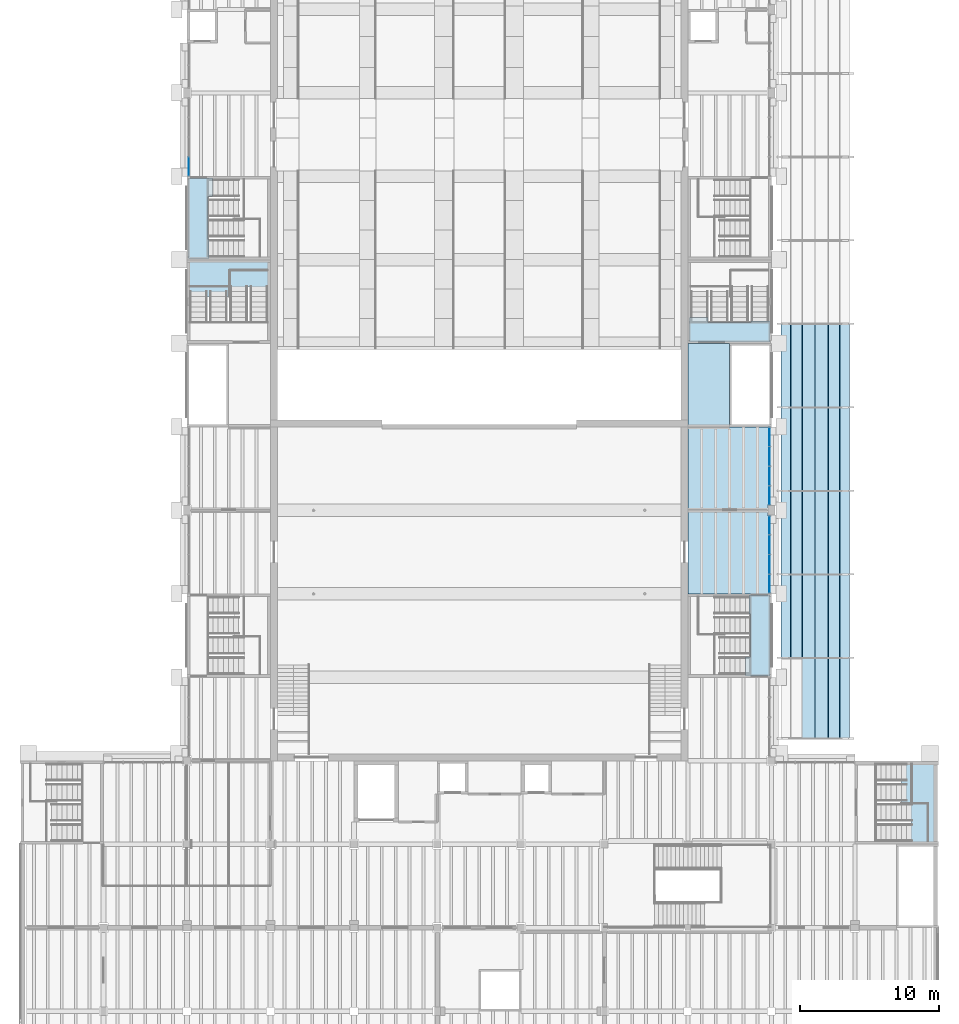
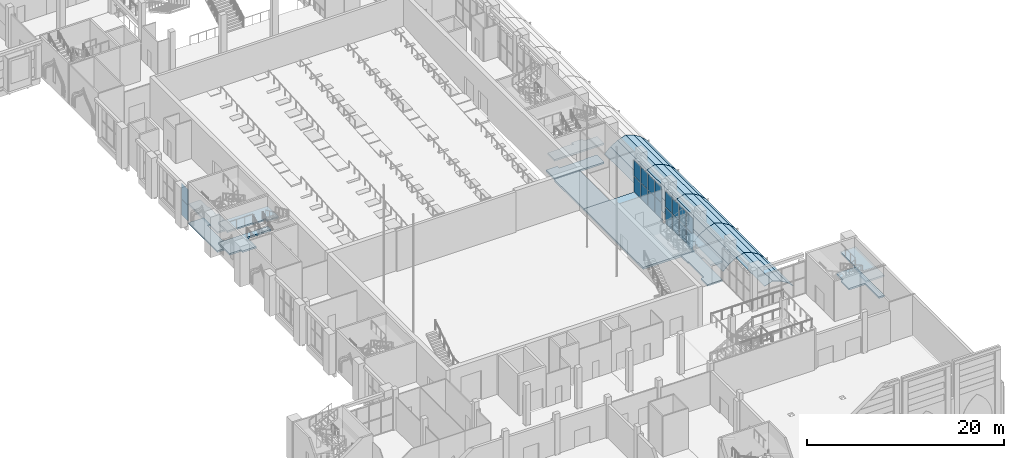
# One storey, part 31 of 80: 46 plates, 12 slabs, 8 elements without a shape of their own.
"""IFC4 building model written with IfcOpenShell, lengths in metres."""

from ifc_helpers import new_model, si_unit, direction, frame, origin, origin_2d, place, context, subcontext, project, spatial, polyline, rectangle, outline, extrude, material, layer, layer_set, type_object, element, aggregate, save


model = new_model("IFC4")

# Units and contexts
model_context = context("Model", 3, precision=1e-05, world=origin(), true_north=direction((0.0, 1.0)))
body_context = subcontext(model_context, "Body", "Model", "MODEL_VIEW")
ifc_project = project(units=[si_unit("LENGTHUNIT", "METRE"), si_unit("AREAUNIT", "SQUARE_METRE"), si_unit("VOLUMEUNIT", "CUBIC_METRE"), si_unit("PLANEANGLEUNIT", "RADIAN"), si_unit("MASSUNIT", "GRAM", prefix="KILO")], contexts=[model_context])

# Site, building, storey
site_placement = place(None, origin())
site = spatial("IfcSite", under=ifc_project, at=site_placement, CompositionType="ELEMENT")
building_placement = place(site_placement, origin())
building = spatial("IfcBuilding", under=site, at=building_placement, Name="Saffron Lane Theatres", CompositionType="ELEMENT")
storey_placement = place(building_placement, frame((0.0, 0.0, 7.0)))
storey = spatial("IfcBuildingStorey", under=building, at=storey_placement, Name="L01", CompositionType="ELEMENT", Elevation=7.0)

# Curtain wall, plates
ifc_material_1 = material(Name="Aluminium", Category="aluminium")
curtain_wall_type = type_object("IfcCurtainWallType", Name="EX-CURTAIN WALL 5650x4050x160", PredefinedType="NOTDEFINED", material=ifc_material_1)
curtain_wall_1_placement = place(storey_placement, origin())
curtain_wall_1 = element("IfcCurtainWall", 1, at=curtain_wall_1_placement, inside=storey, type_object=curtain_wall_type, Name="Curtain wall L01 05", PredefinedType="NOTDEFINED")
ifc_material_2 = material(Name="Glass", Category="glass")
ifc_layer_1 = layer(ifc_material_2, 0.028076171875)
ifc_layer_set_1 = layer_set([ifc_layer_1], Name="Glass")
plate_type_1 = type_object("IfcPlateType", Name="EX-CW PANEL GLAZING 28", PredefinedType="CURTAIN_PANEL", material=ifc_layer_set_1)
plate_1_placement = place(storey_placement, frame((12.1298828125, 72.72119140625, 0.06005859375), z_axis=(0.0, 0.0, 1.0), x_axis=(0.0, 1.0, 0.0)))
plate_1 = element("IfcPlate", 2, at=plate_1_placement, type_object=plate_type_1, Name="CW-01-05 panel 1.1", PredefinedType="CURTAIN_PANEL", context=body_context, shape_type="SweptSolid", body=[
    extrude(rectangle(XDim=1.322509765625, YDim=0.028076171875, at=origin_2d()), origin(), (0.0, 0.0, 1.0), 1.934814453125),
])
plate_2_placement = place(storey_placement, frame((12.1298828125, 72.72119140625, 2.054931640625), z_axis=(0.0, 0.0, 1.0), x_axis=(0.0, 1.0, 0.0)))
plate_2 = element("IfcPlate", 3, at=plate_2_placement, type_object=plate_type_1, Name="CW-01-05 panel 1.2", PredefinedType="CURTAIN_PANEL", context=body_context, shape_type="SweptSolid", body=[
    extrude(rectangle(XDim=1.322509765625, YDim=0.028076171875, at=origin_2d()), origin(), (0.0, 0.0, 1.0), 1.93505859375),
])
aggregate(curtain_wall_1, [plate_1, plate_2])

curtain_wall_2_placement = place(storey_placement, origin())
curtain_wall_2 = element("IfcCurtainWall", 4, at=curtain_wall_2_placement, inside=storey, type_object=curtain_wall_type, Name="Curtain wall L01 13", PredefinedType="NOTDEFINED")
plate_3_placement = place(storey_placement, frame((53.8701171875, 53.27880859375, 0.06005859375), z_axis=(0.0, 0.0, 1.0), x_axis=(0.0, -1.0, 0.0)))
plate_3 = element("IfcPlate", 5, at=plate_3_placement, type_object=plate_type_1, Name="CW-01-13 panel 1.1", PredefinedType="CURTAIN_PANEL", context=body_context, shape_type="SweptSolid", body=[
    extrude(rectangle(XDim=1.322509765625, YDim=0.028076171875, at=origin_2d()), origin(), (0.0, 0.0, 1.0), 1.934814453125),
])
plate_4_placement = place(storey_placement, frame((53.8701171875, 53.27880859375, 2.054931640625), z_axis=(0.0, 0.0, 1.0), x_axis=(0.0, -1.0, 0.0)))
plate_4 = element("IfcPlate", 6, at=plate_4_placement, type_object=plate_type_1, Name="CW-01-13 panel 1.2", PredefinedType="CURTAIN_PANEL", context=body_context, shape_type="SweptSolid", body=[
    extrude(rectangle(XDim=1.322509765625, YDim=0.028076171875, at=origin_2d()), origin(), (0.0, 0.0, 1.0), 1.93505859375),
])
plate_5_placement = place(storey_placement, frame((53.8701171875, 51.88134765625, 0.06005859375), z_axis=(0.0, 0.0, 1.0), x_axis=(0.0, -1.0, 0.0)))
plate_5 = element("IfcPlate", 7, at=plate_5_placement, type_object=plate_type_1, Name="CW-01-13 panel 2.1", PredefinedType="CURTAIN_PANEL", context=body_context, shape_type="SweptSolid", body=[
    extrude(rectangle(XDim=1.3525390625, YDim=0.028076171875, at=origin_2d()), origin(), (0.0, 0.0, 1.0), 1.934814453125),
])
plate_6_placement = place(storey_placement, frame((53.8701171875, 51.88134765625, 2.054931640625), z_axis=(0.0, 0.0, 1.0), x_axis=(0.0, -1.0, 0.0)))
plate_6 = element("IfcPlate", 8, at=plate_6_placement, type_object=plate_type_1, Name="CW-01-13 panel 2.2", PredefinedType="CURTAIN_PANEL", context=body_context, shape_type="SweptSolid", body=[
    extrude(rectangle(XDim=1.3525390625, YDim=0.028076171875, at=origin_2d()), origin(), (0.0, 0.0, 1.0), 1.93505859375),
])
plate_7_placement = place(storey_placement, frame((53.8701171875, 50.46875, 0.06005859375), z_axis=(0.0, 0.0, 1.0), x_axis=(0.0, -1.0, 0.0)))
plate_7 = element("IfcPlate", 9, at=plate_7_placement, type_object=plate_type_1, Name="CW-01-13 panel 3.1", PredefinedType="CURTAIN_PANEL", context=body_context, shape_type="SweptSolid", body=[
    extrude(rectangle(XDim=1.3525390625, YDim=0.028076171875, at=origin_2d()), origin(), (0.0, 0.0, 1.0), 1.934814453125),
])
plate_8_placement = place(storey_placement, frame((53.8701171875, 50.46875, 2.054931640625), z_axis=(0.0, 0.0, 1.0), x_axis=(0.0, -1.0, 0.0)))
plate_8 = element("IfcPlate", 10, at=plate_8_placement, type_object=plate_type_1, Name="CW-01-13 panel 3.2", PredefinedType="CURTAIN_PANEL", context=body_context, shape_type="SweptSolid", body=[
    extrude(rectangle(XDim=1.3525390625, YDim=0.028076171875, at=origin_2d()), origin(), (0.0, 0.0, 1.0), 1.93505859375),
])
plate_9_placement = place(storey_placement, frame((53.8701171875, 49.0712890625, 0.06005859375), z_axis=(0.0, 0.0, 1.0), x_axis=(0.0, -1.0, 0.0)))
plate_9 = element("IfcPlate", 11, at=plate_9_placement, type_object=plate_type_1, Name="CW-01-13 panel 4.1", PredefinedType="CURTAIN_PANEL", context=body_context, shape_type="SweptSolid", body=[
    extrude(rectangle(XDim=1.322509765625, YDim=0.028076171875, at=origin_2d()), origin(), (0.0, 0.0, 1.0), 1.934814453125),
])
plate_10_placement = place(storey_placement, frame((53.8701171875, 49.0712890625, 2.054931640625), z_axis=(0.0, 0.0, 1.0), x_axis=(0.0, -1.0, 0.0)))
plate_10 = element("IfcPlate", 12, at=plate_10_placement, type_object=plate_type_1, Name="CW-01-13 panel 4.2", PredefinedType="CURTAIN_PANEL", context=body_context, shape_type="SweptSolid", body=[
    extrude(rectangle(XDim=1.322509765625, YDim=0.028076171875, at=origin_2d()), origin(), (0.0, 0.0, 1.0), 1.93505859375),
])
aggregate(curtain_wall_2, [plate_3, plate_4, plate_5, plate_6, plate_7, plate_8, plate_9, plate_10])

curtain_wall_3_placement = place(storey_placement, origin())
curtain_wall_3 = element("IfcCurtainWall", 13, at=curtain_wall_3_placement, inside=storey, type_object=curtain_wall_type, Name="Curtain wall L01 14", PredefinedType="NOTDEFINED")
plate_11_placement = place(storey_placement, frame((53.8701171875, 46.9287109375, 0.06005859375), z_axis=(0.0, 0.0, 1.0), x_axis=(0.0, -1.0, 0.0)))
plate_11 = element("IfcPlate", 14, at=plate_11_placement, type_object=plate_type_1, Name="CW-01-14 panel 1.1", PredefinedType="CURTAIN_PANEL", context=body_context, shape_type="SweptSolid", body=[
    extrude(rectangle(XDim=1.322509765625, YDim=0.028076171875, at=origin_2d()), origin(), (0.0, 0.0, 1.0), 1.934814453125),
])
plate_12_placement = place(storey_placement, frame((53.8701171875, 46.9287109375, 2.054931640625), z_axis=(0.0, 0.0, 1.0), x_axis=(0.0, -1.0, 0.0)))
plate_12 = element("IfcPlate", 15, at=plate_12_placement, type_object=plate_type_1, Name="CW-01-14 panel 1.2", PredefinedType="CURTAIN_PANEL", context=body_context, shape_type="SweptSolid", body=[
    extrude(rectangle(XDim=1.322509765625, YDim=0.028076171875, at=origin_2d()), origin(), (0.0, 0.0, 1.0), 1.93505859375),
])
plate_13_placement = place(storey_placement, frame((53.8701171875, 45.53125, 0.06005859375), z_axis=(0.0, 0.0, 1.0), x_axis=(0.0, -1.0, 0.0)))
plate_13 = element("IfcPlate", 16, at=plate_13_placement, type_object=plate_type_1, Name="CW-01-14 panel 2.1", PredefinedType="CURTAIN_PANEL", context=body_context, shape_type="SweptSolid", body=[
    extrude(rectangle(XDim=1.3525390625, YDim=0.028076171875, at=origin_2d()), origin(), (0.0, 0.0, 1.0), 1.934814453125),
])
plate_14_placement = place(storey_placement, frame((53.8701171875, 45.53125, 2.054931640625), z_axis=(0.0, 0.0, 1.0), x_axis=(0.0, -1.0, 0.0)))
plate_14 = element("IfcPlate", 17, at=plate_14_placement, type_object=plate_type_1, Name="CW-01-14 panel 2.2", PredefinedType="CURTAIN_PANEL", context=body_context, shape_type="SweptSolid", body=[
    extrude(rectangle(XDim=1.3525390625, YDim=0.028076171875, at=origin_2d()), origin(), (0.0, 0.0, 1.0), 1.93505859375),
])
plate_15_placement = place(storey_placement, frame((53.8701171875, 44.11865234375, 0.06005859375), z_axis=(0.0, 0.0, 1.0), x_axis=(0.0, -1.0, 0.0)))
plate_15 = element("IfcPlate", 18, at=plate_15_placement, type_object=plate_type_1, Name="CW-01-14 panel 3.1", PredefinedType="CURTAIN_PANEL", context=body_context, shape_type="SweptSolid", body=[
    extrude(rectangle(XDim=1.3525390625, YDim=0.028076171875, at=origin_2d()), origin(), (0.0, 0.0, 1.0), 1.934814453125),
])
plate_16_placement = place(storey_placement, frame((53.8701171875, 44.11865234375, 2.054931640625), z_axis=(0.0, 0.0, 1.0), x_axis=(0.0, -1.0, 0.0)))
plate_16 = element("IfcPlate", 19, at=plate_16_placement, type_object=plate_type_1, Name="CW-01-14 panel 3.2", PredefinedType="CURTAIN_PANEL", context=body_context, shape_type="SweptSolid", body=[
    extrude(rectangle(XDim=1.3525390625, YDim=0.028076171875, at=origin_2d()), origin(), (0.0, 0.0, 1.0), 1.93505859375),
])
plate_17_placement = place(storey_placement, frame((53.8701171875, 42.72119140625, 0.06005859375), z_axis=(0.0, 0.0, 1.0), x_axis=(0.0, -1.0, 0.0)))
plate_17 = element("IfcPlate", 20, at=plate_17_placement, type_object=plate_type_1, Name="CW-01-14 panel 4.1", PredefinedType="CURTAIN_PANEL", context=body_context, shape_type="SweptSolid", body=[
    extrude(rectangle(XDim=1.322509765625, YDim=0.028076171875, at=origin_2d()), origin(), (0.0, 0.0, 1.0), 1.934814453125),
])
plate_18_placement = place(storey_placement, frame((53.8701171875, 42.72119140625, 2.054931640625), z_axis=(0.0, 0.0, 1.0), x_axis=(0.0, -1.0, 0.0)))
plate_18 = element("IfcPlate", 21, at=plate_18_placement, type_object=plate_type_1, Name="CW-01-14 panel 4.2", PredefinedType="CURTAIN_PANEL", context=body_context, shape_type="SweptSolid", body=[
    extrude(rectangle(XDim=1.322509765625, YDim=0.028076171875, at=origin_2d()), origin(), (0.0, 0.0, 1.0), 1.93505859375),
])
aggregate(curtain_wall_3, [plate_11, plate_12, plate_13, plate_14, plate_15, plate_16, plate_17, plate_18])

# Slabs
ifc_material_3 = material(Name="Concrete N40 (40 MPa)", Category="concrete")
ifc_layer_2 = layer(ifc_material_3, 0.25)
ifc_layer_set_2 = layer_set([ifc_layer_2], Name="Concrete N40 (40 MPa)")
slab_type_1 = type_object("IfcSlabType", Name="RC-SLAB FLOOR 250", PredefinedType="FLOOR", material=ifc_layer_set_2)
slab_1_placement = place(storey_placement, frame((0.0, 0.0, -0.25)))
element("IfcSlab", 22, at=slab_1_placement, inside=storey, type_object=slab_type_1, Name="slab-L01-AUD-2", PredefinedType="FLOOR", context=body_context, shape_type="SweptSolid", body=[
    extrude(outline(polyline([(48.0, 54.5), (48.0, 54.0), (51.0, 54.0), (51.0, 60.0), (48.0, 60.0), (48.0, 54.5)])), origin(), (0.0, 0.0, 1.0), 0.25),
])
slab_2_placement = place(storey_placement, frame((0.0, 0.0, -0.25)))
element("IfcSlab", 23, at=slab_2_placement, inside=storey, type_object=slab_type_1, Name="slab-L01-STAGE-4", PredefinedType="FLOOR", context=body_context, shape_type="SweptSolid", body=[
    extrude(outline(polyline([(48.0, 42.0), (54.0, 42.0), (54.0, 47.623046875), (53.722900390625, 47.623046875), (53.722900390625, 48.376953125), (54.0, 48.376953125), (54.0, 54.0), (51.0, 54.0), (48.0, 54.0), (48.0, 42.0)])), origin(), (0.0, 0.0, 1.0), 0.25),
])

# Plates
ifc_material_4 = material(Name="Laminated glass", Category="glass")
ifc_layer_3 = layer(ifc_material_4, 0.030029296875)
ifc_layer_set_3 = layer_set([ifc_layer_3], Name="Laminated glass")
plate_type_2 = type_object("IfcPlateType", Name="ST-CANOPY GLASS", PredefinedType="SHEET", material=ifc_layer_set_3)
plate_19_placement = place(storey_placement, frame((56.2080078125, 31.60009765625, 1.107177734375), z_axis=(-0.325257867178, 0.0, 0.945625359135), x_axis=(0.945625359135, 0.0, 0.325257867178)))
element("IfcPlate", 24, at=plate_19_placement, inside=storey, type_object=plate_type_2, Name="CG1-3", PredefinedType="SHEET", context=body_context, shape_type="SweptSolid", body=[
    extrude(outline(polyline([(0.0, 0.0), (0.9960546448455231, 0.0), (0.9960546448455231, 5.7998046875), (0.0, 5.7998046875), (0.0, 0.0)])), origin(), (0.0, 0.0, -1.0), 0.030029296875),
])
plate_20_placement = place(storey_placement, frame((57.14990234375, 31.60009765625, 1.43115234375), z_axis=(0.325182495339, 0.0, 0.945651280719), x_axis=(0.945651280719, 0.0, -0.325182495339)))
element("IfcPlate", 25, at=plate_20_placement, inside=storey, type_object=plate_type_2, Name="CG1-4", PredefinedType="SHEET", context=body_context, shape_type="SweptSolid", body=[
    extrude(outline(polyline([(0.0, 0.0), (0.9962855135763407, 0.0), (0.9962855135763407, 5.7998046875), (0.0, 5.7998046875), (0.0, 0.0)])), origin(), (0.0, 0.0, -1.0), 0.030029296875),
])
plate_21_placement = place(storey_placement, frame((58.092041015625, 31.60009765625, 1.107177734375), z_axis=(0.517265239441, 0.0, 0.855825141058), x_axis=(0.855825141058, 0.0, -0.517265239441)))
element("IfcPlate", 26, at=plate_21_placement, inside=storey, type_object=plate_type_2, Name="CG1-5", PredefinedType="SHEET", context=body_context, shape_type="SweptSolid", body=[
    extrude(outline(polyline([(0.0, 0.0), (0.9713419111499698, 0.0), (0.9713419111499698, 5.799804687499999), (0.0, 5.799804687499999), (0.0, 0.0)])), origin(), (0.0, 0.0, -1.0), 0.030029296875),
])
plate_22_placement = place(storey_placement, frame((58.92333984375, 31.60009765625, 0.604736328125), z_axis=(0.685681966938, 0.0, 0.727901257188), x_axis=(0.727901257188, 0.0, -0.685681966938)))
element("IfcPlate", 27, at=plate_22_placement, inside=storey, type_object=plate_type_2, Name="CG1-6", PredefinedType="SHEET", context=body_context, shape_type="SweptSolid", body=[
    extrude(outline(polyline([(0.0, 0.0), (0.9599248000335028, 0.0), (0.9599248000335028, 5.7998046875), (0.0, 5.7998046875), (0.0, 0.0)])), origin(), (0.0, 0.0, -1.0), 0.030029296875),
])
plate_23_placement = place(storey_placement, frame((54.677978515625, 37.39990234375, -0.053466796875), z_axis=(-0.685681966938, 0.0, 0.727901257188), x_axis=(0.727901257188, 0.0, 0.685681966938)))
element("IfcPlate", 28, at=plate_23_placement, inside=storey, type_object=plate_type_2, Name="CG2-1", PredefinedType="SHEET", context=body_context, shape_type="SweptSolid", body=[
    extrude(outline(polyline([(0.0, 0.0), (0.9599248000335028, 0.0), (0.9599248000335028, 6.0), (0.0, 6.0), (0.0, 0.0)])), origin(), (0.0, 0.0, -1.0), 0.030029296875),
])
plate_24_placement = place(storey_placement, frame((55.376708984375, 37.39990234375, 0.604736328125), z_axis=(-0.517265239441, 0.0, 0.855825141058), x_axis=(0.855825141058, 0.0, 0.517265239441)))
element("IfcPlate", 29, at=plate_24_placement, inside=storey, type_object=plate_type_2, Name="CG2-2", PredefinedType="SHEET", context=body_context, shape_type="SweptSolid", body=[
    extrude(outline(polyline([(0.0, 0.0), (0.9713419111499699, 0.0), (0.9713419111499699, 6.000000000000002), (0.0, 6.000000000000002), (0.0, 0.0)])), origin(), (0.0, 0.0, -1.0), 0.030029296875),
])
plate_25_placement = place(storey_placement, frame((56.2080078125, 37.39990234375, 1.107177734375), z_axis=(-0.325257867178, 0.0, 0.945625359135), x_axis=(0.945625359135, 0.0, 0.325257867178)))
element("IfcPlate", 30, at=plate_25_placement, inside=storey, type_object=plate_type_2, Name="CG2-3", PredefinedType="SHEET", context=body_context, shape_type="SweptSolid", body=[
    extrude(outline(polyline([(0.0, 0.0), (0.9960546448455231, 0.0), (0.9960546448455231, 6.0), (0.0, 6.0), (0.0, 0.0)])), origin(), (0.0, 0.0, -1.0), 0.030029296875),
])
plate_26_placement = place(storey_placement, frame((57.14990234375, 37.39990234375, 1.43115234375), z_axis=(0.325182495339, 0.0, 0.945651280719), x_axis=(0.945651280719, 0.0, -0.325182495339)))
element("IfcPlate", 31, at=plate_26_placement, inside=storey, type_object=plate_type_2, Name="CG2-4", PredefinedType="SHEET", context=body_context, shape_type="SweptSolid", body=[
    extrude(outline(polyline([(0.0, 0.0), (0.9962855135763407, 0.0), (0.9962855135763407, 6.0), (0.0, 6.0), (0.0, 0.0)])), origin(), (0.0, 0.0, -1.0), 0.030029296875),
])
plate_27_placement = place(storey_placement, frame((58.092041015625, 37.39990234375, 1.107177734375), z_axis=(0.517265239441, 0.0, 0.855825141058), x_axis=(0.855825141058, 0.0, -0.517265239441)))
element("IfcPlate", 32, at=plate_27_placement, inside=storey, type_object=plate_type_2, Name="CG2-5", PredefinedType="SHEET", context=body_context, shape_type="SweptSolid", body=[
    extrude(outline(polyline([(0.0, 0.0), (0.9713419111499699, 0.0), (0.9713419111499699, 6.000000000000002), (0.0, 6.000000000000002), (0.0, 0.0)])), origin(), (0.0, 0.0, -1.0), 0.030029296875),
])
for number, where, z_axis, x_axis, name in (
    (33, (58.92333984375, 37.39990234375, 0.604736328125), (0.685681966938, 0.0, 0.727901257188), (0.727901257188, 0.0, -0.685681966938), "CG2-6"),
    (34, (54.677978515625, 43.39990234375, -0.053466796875), (-0.685681966938, 0.0, 0.727901257188), (0.727901257188, 0.0, 0.685681966938), "CG3-1"),
):
    element("IfcPlate", number, at=place(storey_placement, frame(where, z_axis=z_axis, x_axis=x_axis)), inside=storey, type_object=plate_type_2, Name=name, PredefinedType="SHEET", context=body_context, shape_type="SweptSolid", body=[
        extrude(outline(polyline([(0.0, 0.0), (0.9599248000335028, 0.0), (0.9599248000335028, 6.0), (0.0, 6.0), (0.0, 0.0)])), origin(), (0.0, 0.0, -1.0), 0.030029296875),
    ])
plate_28_placement = place(storey_placement, frame((55.376708984375, 43.39990234375, 0.604736328125), z_axis=(-0.517265239441, 0.0, 0.855825141058), x_axis=(0.855825141058, 0.0, 0.517265239441)))
element("IfcPlate", 35, at=plate_28_placement, inside=storey, type_object=plate_type_2, Name="CG3-2", PredefinedType="SHEET", context=body_context, shape_type="SweptSolid", body=[
    extrude(outline(polyline([(0.0, 0.0), (0.9713419111499699, 0.0), (0.9713419111499699, 6.000000000000002), (0.0, 6.000000000000002), (0.0, 0.0)])), origin(), (0.0, 0.0, -1.0), 0.030029296875),
])
plate_29_placement = place(storey_placement, frame((56.2080078125, 43.39990234375, 1.107177734375), z_axis=(-0.325257867178, 0.0, 0.945625359135), x_axis=(0.945625359135, 0.0, 0.325257867178)))
element("IfcPlate", 36, at=plate_29_placement, inside=storey, type_object=plate_type_2, Name="CG3-3", PredefinedType="SHEET", context=body_context, shape_type="SweptSolid", body=[
    extrude(outline(polyline([(0.0, 0.0), (0.9960546448455231, 0.0), (0.9960546448455231, 6.0), (0.0, 6.0), (0.0, 0.0)])), origin(), (0.0, 0.0, -1.0), 0.030029296875),
])
plate_30_placement = place(storey_placement, frame((57.14990234375, 43.39990234375, 1.43115234375), z_axis=(0.325182495339, 0.0, 0.945651280719), x_axis=(0.945651280719, 0.0, -0.325182495339)))
element("IfcPlate", 37, at=plate_30_placement, inside=storey, type_object=plate_type_2, Name="CG3-4", PredefinedType="SHEET", context=body_context, shape_type="SweptSolid", body=[
    extrude(outline(polyline([(0.0, 0.0), (0.9962855135763407, 0.0), (0.9962855135763407, 6.0), (0.0, 6.0), (0.0, 0.0)])), origin(), (0.0, 0.0, -1.0), 0.030029296875),
])
plate_31_placement = place(storey_placement, frame((58.092041015625, 43.39990234375, 1.107177734375), z_axis=(0.517265239441, 0.0, 0.855825141058), x_axis=(0.855825141058, 0.0, -0.517265239441)))
element("IfcPlate", 38, at=plate_31_placement, inside=storey, type_object=plate_type_2, Name="CG3-5", PredefinedType="SHEET", context=body_context, shape_type="SweptSolid", body=[
    extrude(outline(polyline([(0.0, 0.0), (0.9713419111499699, 0.0), (0.9713419111499699, 6.000000000000002), (0.0, 6.000000000000002), (0.0, 0.0)])), origin(), (0.0, 0.0, -1.0), 0.030029296875),
])
for number, where, z_axis, x_axis, name in (
    (39, (58.92333984375, 43.39990234375, 0.604736328125), (0.685681966938, 0.0, 0.727901257188), (0.727901257188, 0.0, -0.685681966938), "CG3-6"),
    (40, (54.677978515625, 49.39990234375, -0.053466796875), (-0.685681966938, 0.0, 0.727901257188), (0.727901257188, 0.0, 0.685681966938), "CG4-1"),
):
    element("IfcPlate", number, at=place(storey_placement, frame(where, z_axis=z_axis, x_axis=x_axis)), inside=storey, type_object=plate_type_2, Name=name, PredefinedType="SHEET", context=body_context, shape_type="SweptSolid", body=[
        extrude(outline(polyline([(0.0, 0.0), (0.9599248000335028, 0.0), (0.9599248000335028, 6.0), (0.0, 6.0), (0.0, 0.0)])), origin(), (0.0, 0.0, -1.0), 0.030029296875),
    ])
plate_32_placement = place(storey_placement, frame((55.376708984375, 49.39990234375, 0.604736328125), z_axis=(-0.517265239441, 0.0, 0.855825141058), x_axis=(0.855825141058, 0.0, 0.517265239441)))
element("IfcPlate", 41, at=plate_32_placement, inside=storey, type_object=plate_type_2, Name="CG4-2", PredefinedType="SHEET", context=body_context, shape_type="SweptSolid", body=[
    extrude(outline(polyline([(0.0, 0.0), (0.9713419111499699, 0.0), (0.9713419111499699, 6.000000000000002), (0.0, 6.000000000000002), (0.0, 0.0)])), origin(), (0.0, 0.0, -1.0), 0.030029296875),
])
plate_33_placement = place(storey_placement, frame((56.2080078125, 49.39990234375, 1.107177734375), z_axis=(-0.325257867178, 0.0, 0.945625359135), x_axis=(0.945625359135, 0.0, 0.325257867178)))
element("IfcPlate", 42, at=plate_33_placement, inside=storey, type_object=plate_type_2, Name="CG4-3", PredefinedType="SHEET", context=body_context, shape_type="SweptSolid", body=[
    extrude(outline(polyline([(0.0, 0.0), (0.9960546448455231, 0.0), (0.9960546448455231, 6.0), (0.0, 6.0), (0.0, 0.0)])), origin(), (0.0, 0.0, -1.0), 0.030029296875),
])
plate_34_placement = place(storey_placement, frame((57.14990234375, 49.39990234375, 1.43115234375), z_axis=(0.325182495339, 0.0, 0.945651280719), x_axis=(0.945651280719, 0.0, -0.325182495339)))
element("IfcPlate", 43, at=plate_34_placement, inside=storey, type_object=plate_type_2, Name="CG4-4", PredefinedType="SHEET", context=body_context, shape_type="SweptSolid", body=[
    extrude(outline(polyline([(0.0, 0.0), (0.9962855135763407, 0.0), (0.9962855135763407, 6.0), (0.0, 6.0), (0.0, 0.0)])), origin(), (0.0, 0.0, -1.0), 0.030029296875),
])
plate_35_placement = place(storey_placement, frame((58.092041015625, 49.39990234375, 1.107177734375), z_axis=(0.517265239441, 0.0, 0.855825141058), x_axis=(0.855825141058, 0.0, -0.517265239441)))
element("IfcPlate", 44, at=plate_35_placement, inside=storey, type_object=plate_type_2, Name="CG4-5", PredefinedType="SHEET", context=body_context, shape_type="SweptSolid", body=[
    extrude(outline(polyline([(0.0, 0.0), (0.9713419111499699, 0.0), (0.9713419111499699, 6.000000000000002), (0.0, 6.000000000000002), (0.0, 0.0)])), origin(), (0.0, 0.0, -1.0), 0.030029296875),
])
for number, where, z_axis, x_axis, name in (
    (45, (58.92333984375, 49.39990234375, 0.604736328125), (0.685681966938, 0.0, 0.727901257188), (0.727901257188, 0.0, -0.685681966938), "CG4-6"),
    (46, (54.677978515625, 55.39990234375, -0.053466796875), (-0.685681966938, 0.0, 0.727901257188), (0.727901257188, 0.0, 0.685681966938), "CG5-1"),
):
    element("IfcPlate", number, at=place(storey_placement, frame(where, z_axis=z_axis, x_axis=x_axis)), inside=storey, type_object=plate_type_2, Name=name, PredefinedType="SHEET", context=body_context, shape_type="SweptSolid", body=[
        extrude(outline(polyline([(0.0, 0.0), (0.9599248000335028, 0.0), (0.9599248000335028, 6.0), (0.0, 6.0), (0.0, 0.0)])), origin(), (0.0, 0.0, -1.0), 0.030029296875),
    ])
plate_36_placement = place(storey_placement, frame((55.376708984375, 55.39990234375, 0.604736328125), z_axis=(-0.517265239441, 0.0, 0.855825141058), x_axis=(0.855825141058, 0.0, 0.517265239441)))
element("IfcPlate", 47, at=plate_36_placement, inside=storey, type_object=plate_type_2, Name="CG5-2", PredefinedType="SHEET", context=body_context, shape_type="SweptSolid", body=[
    extrude(outline(polyline([(0.0, 0.0), (0.9713419111499699, 0.0), (0.9713419111499699, 6.000000000000002), (0.0, 6.000000000000002), (0.0, 0.0)])), origin(), (0.0, 0.0, -1.0), 0.030029296875),
])
plate_37_placement = place(storey_placement, frame((56.2080078125, 55.39990234375, 1.107177734375), z_axis=(-0.325257867178, 0.0, 0.945625359135), x_axis=(0.945625359135, 0.0, 0.325257867178)))
element("IfcPlate", 48, at=plate_37_placement, inside=storey, type_object=plate_type_2, Name="CG5-3", PredefinedType="SHEET", context=body_context, shape_type="SweptSolid", body=[
    extrude(outline(polyline([(0.0, 0.0), (0.9960546448455231, 0.0), (0.9960546448455231, 6.0), (0.0, 6.0), (0.0, 0.0)])), origin(), (0.0, 0.0, -1.0), 0.030029296875),
])
plate_38_placement = place(storey_placement, frame((57.14990234375, 55.39990234375, 1.43115234375), z_axis=(0.325182495339, 0.0, 0.945651280719), x_axis=(0.945651280719, 0.0, -0.325182495339)))
element("IfcPlate", 49, at=plate_38_placement, inside=storey, type_object=plate_type_2, Name="CG5-4", PredefinedType="SHEET", context=body_context, shape_type="SweptSolid", body=[
    extrude(outline(polyline([(0.0, 0.0), (0.9962855135763407, 0.0), (0.9962855135763407, 6.0), (0.0, 6.0), (0.0, 0.0)])), origin(), (0.0, 0.0, -1.0), 0.030029296875),
])
plate_39_placement = place(storey_placement, frame((58.092041015625, 55.39990234375, 1.107177734375), z_axis=(0.517265239441, 0.0, 0.855825141058), x_axis=(0.855825141058, 0.0, -0.517265239441)))
element("IfcPlate", 50, at=plate_39_placement, inside=storey, type_object=plate_type_2, Name="CG5-5", PredefinedType="SHEET", context=body_context, shape_type="SweptSolid", body=[
    extrude(outline(polyline([(0.0, 0.0), (0.9713419111499699, 0.0), (0.9713419111499699, 6.000000000000002), (0.0, 6.000000000000002), (0.0, 0.0)])), origin(), (0.0, 0.0, -1.0), 0.030029296875),
])
plate_40_placement = place(storey_placement, frame((58.92333984375, 55.39990234375, 0.604736328125), z_axis=(0.685681966938, 0.0, 0.727901257188), x_axis=(0.727901257188, 0.0, -0.685681966938)))
element("IfcPlate", 51, at=plate_40_placement, inside=storey, type_object=plate_type_2, Name="CG5-6", PredefinedType="SHEET", context=body_context, shape_type="SweptSolid", body=[
    extrude(outline(polyline([(0.0, 0.0), (0.9599248000335028, 0.0), (0.9599248000335028, 6.0), (0.0, 6.0), (0.0, 0.0)])), origin(), (0.0, 0.0, -1.0), 0.030029296875),
])

# Stair, slabs
ifc_material_5 = material(Name="Concrete N40 (40 MPa)", Category="concrete")
stair_type = type_object("IfcStairType", Name="VC-STAIR EXIT", PredefinedType="TWO_STRAIGHT_RUN_STAIR", material=ifc_material_5)
stair_1_placement = place(storey_placement, origin())
stair_1 = element("IfcStair", 52, at=stair_1_placement, inside=storey, type_object=stair_type, Name="Auditorium West Rear Stair L01 to L02", PredefinedType="TWO_STRAIGHT_RUN_STAIR")
ifc_material_6 = material(Name="Concrete N40 (40 MPa)", Category="concrete")
ifc_layer_4 = layer(ifc_material_6, 0.199951171875)
ifc_layer_set_4 = layer_set([ifc_layer_4], Name="Concrete N40 (40 MPa)")
slab_type_2 = type_object("IfcSlabType", Name="VC-LANDING 200", PredefinedType="LANDING", material=ifc_layer_set_4)
slab_3_placement = place(storey_placement, frame((0.0, 0.0, -0.199951171875)))
slab_3 = element("IfcSlab", 53, at=slab_3_placement, type_object=slab_type_2, Name="ST8 landing 1", PredefinedType="LANDING", context=body_context, shape_type="SweptSolid", body=[
    extrude(outline(polyline([(12.10009765625, 66.10009765625), (12.10009765625, 71.89990234375), (13.85009765625, 71.89990234375), (13.85009765625, 70.550048828125), (13.5, 70.550048828125), (13.5, 67.449951171875), (13.60009765625, 67.449951171875), (13.60009765625, 66.10009765625), (13.5, 66.10009765625), (13.5, 66.10009765625), (12.10009765625, 66.10009765625)])), origin(), (0.0, 0.0, 1.0), 0.199951171875),
])
slab_4_placement = place(storey_placement, frame((0.0, 0.0, 2.13330078125)))
slab_4 = element("IfcSlab", 54, at=slab_4_placement, type_object=slab_type_2, Name="ST8 landing 3", PredefinedType="LANDING", context=body_context, shape_type="SweptSolid", body=[
    extrude(outline(polyline([(13.5, 66.10009765625), (12.10009765625, 66.10009765625), (12.10009765625, 71.89990234375), (13.5, 71.89990234375), (13.5, 70.35009765625), (13.60009765625, 70.35009765625), (13.60009765625, 69.10009765625), (13.5, 69.10009765625), (13.5, 68.89990234375), (13.85009765625, 68.89990234375), (13.85009765625, 67.64990234375), (13.5, 67.64990234375), (13.5, 66.10009765625)])), origin(), (0.0, 0.0, 1.0), 0.199951171875),
])
aggregate(stair_1, [slab_3, slab_4])

stair_2_placement = place(storey_placement, origin())
stair_2 = element("IfcStair", 55, at=stair_2_placement, inside=storey, type_object=stair_type, Name="Auditorium West Front Stair L01 to L02", PredefinedType="TWO_STRAIGHT_RUN_STAIR")
slab_5_placement = place(storey_placement, frame((0.0, 0.0, 0.966552734375)))
slab_5 = element("IfcSlab", 56, at=slab_5_placement, type_object=slab_type_2, Name="ST14 landing 2", PredefinedType="LANDING", context=body_context, shape_type="SweptSolid", body=[
    extrude(outline(polyline([(15.10009765625, 63.3701171875), (13.449951171875, 63.3701171875), (13.449951171875, 63.6201171875), (12.10009765625, 63.6201171875), (12.10009765625, 65.89990234375), (17.89990234375, 65.89990234375), (17.89990234375, 65.25), (15.10009765625, 65.25), (15.10009765625, 63.3701171875)])), origin(), (0.0, 0.0, 1.0), 0.2001953125),
])
slab_6_placement = place(storey_placement, frame((0.0, 0.0, 3.466552734375)))
slab_6 = element("IfcSlab", 57, at=slab_6_placement, type_object=slab_type_2, Name="ST14 landing 4", PredefinedType="LANDING", context=body_context, shape_type="SweptSolid", body=[
    extrude(outline(polyline([(16.550048828125, 64.090087890625), (16.35009765625, 64.090087890625), (16.35009765625, 63.989990234375), (15.10009765625, 63.989990234375), (15.10009765625, 64.090087890625), (12.10009765625, 64.090087890625), (12.10009765625, 65.89990234375), (17.89990234375, 65.89990234375), (17.89990234375, 63.739990234375), (16.550048828125, 63.739990234375), (16.550048828125, 64.090087890625)])), origin(), (0.0, 0.0, 1.0), 0.2001953125),
])
aggregate(stair_2, [slab_5, slab_6])

stair_3_placement = place(storey_placement, origin())
stair_3 = element("IfcStair", 58, at=stair_3_placement, inside=storey, type_object=stair_type, Name="Auditorium East Front Stair L01 to L02", PredefinedType="TWO_STRAIGHT_RUN_STAIR")
slab_7_placement = place(storey_placement, frame((0.0, 0.0, -0.199951171875)))
slab_7 = element("IfcSlab", 59, at=slab_7_placement, type_object=slab_type_2, Name="ST17 landing 1", PredefinedType="LANDING", context=body_context, shape_type="SweptSolid", body=[
    extrude(outline(polyline([(53.89990234375, 60.10009765625), (48.10009765625, 60.10009765625), (48.10009765625, 61.85009765625), (49.449951171875, 61.85009765625), (49.449951171875, 61.5), (52.550048828125, 61.5), (52.550048828125, 61.60009765625), (53.89990234375, 61.60009765625), (53.89990234375, 61.5), (53.89990234375, 61.5), (53.89990234375, 60.10009765625)])), origin(), (0.0, 0.0, 1.0), 0.199951171875),
])
slab_8_placement = place(storey_placement, frame((0.0, 0.0, 2.13330078125)))
slab_8 = element("IfcSlab", 60, at=slab_8_placement, type_object=slab_type_2, Name="ST17 landing 3", PredefinedType="LANDING", context=body_context, shape_type="SweptSolid", body=[
    extrude(outline(polyline([(53.89990234375, 61.5), (53.89990234375, 60.10009765625), (48.10009765625, 60.10009765625), (48.10009765625, 61.5), (49.64990234375, 61.5), (49.64990234375, 61.60009765625), (50.89990234375, 61.60009765625), (50.89990234375, 61.5), (51.10009765625, 61.5), (51.10009765625, 61.85009765625), (52.35009765625, 61.85009765625), (52.35009765625, 61.5), (53.89990234375, 61.5)])), origin(), (0.0, 0.0, 1.0), 0.199951171875),
])
aggregate(stair_3, [slab_7, slab_8])

stair_4_placement = place(storey_placement, origin())
stair_4 = element("IfcStair", 61, at=stair_4_placement, inside=storey, type_object=stair_type, Name="Stage East Stair L01 to L02", PredefinedType="TWO_STRAIGHT_RUN_STAIR")
slab_9_placement = place(storey_placement, frame((0.0, 0.0, -0.199951171875)))
slab_9 = element("IfcSlab", 62, at=slab_9_placement, type_object=slab_type_2, Name="ST23 landing 1", PredefinedType="LANDING", context=body_context, shape_type="SweptSolid", body=[
    extrude(outline(polyline([(53.89990234375, 41.89990234375), (53.89990234375, 36.10009765625), (52.14990234375, 36.10009765625), (52.14990234375, 37.449951171875), (52.5, 37.449951171875), (52.5, 40.550048828125), (52.39990234375, 40.550048828125), (52.39990234375, 41.89990234375), (52.5, 41.89990234375), (52.5, 41.89990234375), (53.89990234375, 41.89990234375)])), origin(), (0.0, 0.0, 1.0), 0.199951171875),
])
slab_10_placement = place(storey_placement, frame((0.0, 0.0, 2.13330078125)))
slab_10 = element("IfcSlab", 63, at=slab_10_placement, type_object=slab_type_2, Name="ST23 landing 3", PredefinedType="LANDING", context=body_context, shape_type="SweptSolid", body=[
    extrude(outline(polyline([(52.5, 41.89990234375), (53.89990234375, 41.89990234375), (53.89990234375, 36.10009765625), (52.5, 36.10009765625), (52.5, 37.64990234375), (52.39990234375, 37.64990234375), (52.39990234375, 38.89990234375), (52.5, 38.89990234375), (52.5, 39.10009765625), (52.14990234375, 39.10009765625), (52.14990234375, 40.35009765625), (52.5, 40.35009765625), (52.5, 41.89990234375)])), origin(), (0.0, 0.0, 1.0), 0.199951171875),
])
aggregate(stair_4, [slab_9, slab_10])

stair_5_placement = place(storey_placement, origin())
stair_5 = element("IfcStair", 64, at=stair_5_placement, inside=storey, type_object=stair_type, Name="Studio North Stair L01 to L02", PredefinedType="TWO_STRAIGHT_RUN_STAIR")
slab_11_placement = place(storey_placement, frame((0.0, 0.0, 0.966552734375)))
slab_11 = element("IfcSlab", 65, at=slab_11_placement, type_object=slab_type_2, Name="ST32 landing 2", PredefinedType="LANDING", context=body_context, shape_type="SweptSolid", body=[
    extrude(outline(polyline([(63.3701171875, 26.89990234375), (63.3701171875, 28.550048828125), (63.6201171875, 28.550048828125), (63.6201171875, 29.89990234375), (65.89990234375, 29.89990234375), (65.89990234375, 24.10009765625), (65.25, 24.10009765625), (65.25, 26.89990234375), (63.3701171875, 26.89990234375)])), origin(), (0.0, 0.0, 1.0), 0.2001953125),
])
slab_12_placement = place(storey_placement, frame((0.0, 0.0, 3.466552734375)))
slab_12 = element("IfcSlab", 66, at=slab_12_placement, type_object=slab_type_2, Name="ST32 landing 4", PredefinedType="LANDING", context=body_context, shape_type="SweptSolid", body=[
    extrude(outline(polyline([(64.090087890625, 25.449951171875), (64.090087890625, 25.64990234375), (63.989990234375, 25.64990234375), (63.989990234375, 26.89990234375), (64.090087890625, 26.89990234375), (64.090087890625, 29.89990234375), (65.89990234375, 29.89990234375), (65.89990234375, 24.10009765625), (63.739990234375, 24.10009765625), (63.739990234375, 25.449951171875), (64.090087890625, 25.449951171875)])), origin(), (0.0, 0.0, 1.0), 0.2001953125),
])
aggregate(stair_5, [slab_11, slab_12])

save(model, "model.ifc")
